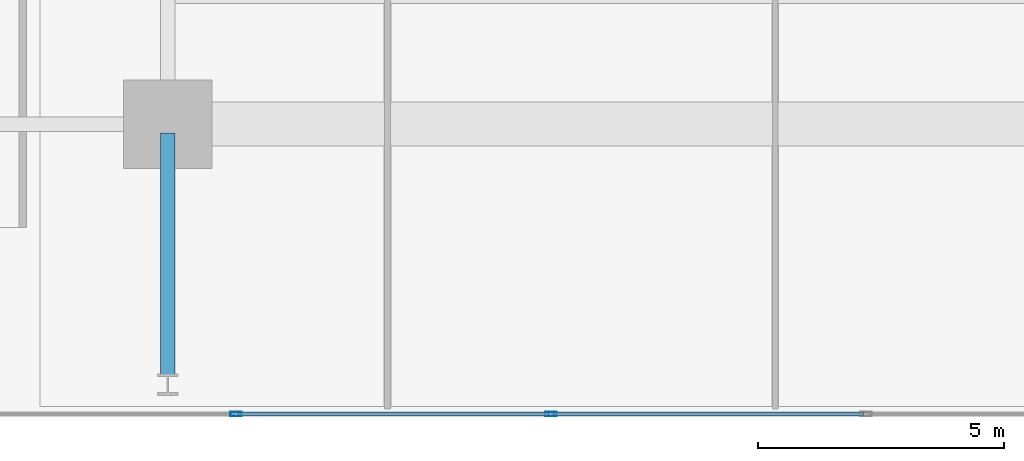
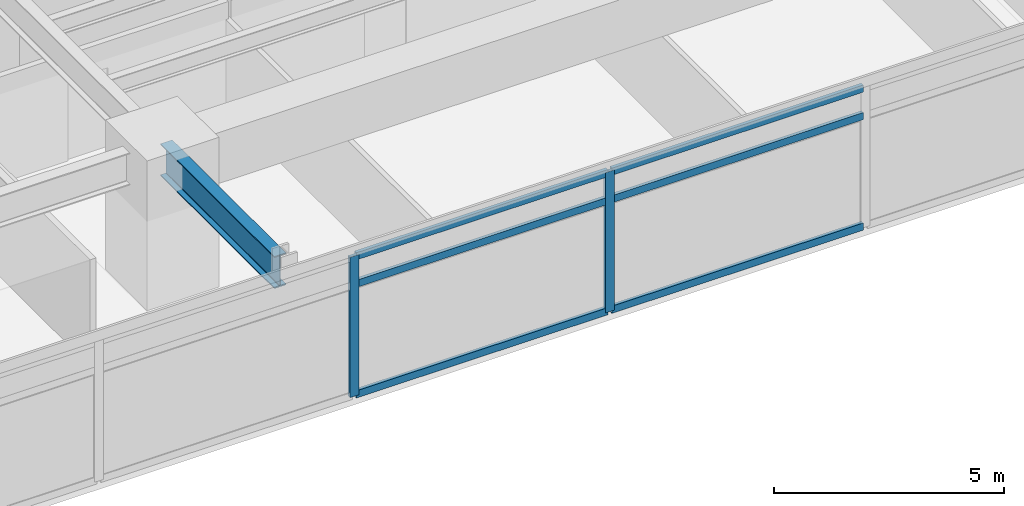
# One storey, part 4 of 22: 8 members, 1 beam, 1 element without a shape of its own.
"""IFC4 building model written with IfcOpenShell, lengths in metres."""

from ifc_helpers import new_model, si_unit, direction, frame, origin, origin_2d, place, context, subcontext, project, spatial, hollow_rectangle, i_section, extrude, material, material_profile, profile_set, type_object, element, aggregate, save


model = new_model("IFC4")

# Units and contexts
model_context = context("Model", 3, precision=1e-05, world=origin(), true_north=direction((0.0, 1.0)))
body_context = subcontext(model_context, "Body", "Model", "MODEL_VIEW")
ifc_project = project(units=[si_unit("LENGTHUNIT", "METRE"), si_unit("AREAUNIT", "SQUARE_METRE"), si_unit("VOLUMEUNIT", "CUBIC_METRE"), si_unit("PLANEANGLEUNIT", "RADIAN"), si_unit("MASSUNIT", "GRAM", prefix="KILO")], contexts=[model_context])

# Site, building, storey
site_placement = place(None, origin())
site = spatial("IfcSite", under=ifc_project, at=site_placement, CompositionType="ELEMENT")
building_placement = place(site_placement, origin())
building = spatial("IfcBuilding", under=site, at=building_placement, Name="Kovane Verandah Tower", CompositionType="ELEMENT")
storey_placement = place(building_placement, frame((0.0, 0.0, 79.60009765625)))
storey = spatial("IfcBuildingStorey", under=building, at=storey_placement, Name="L18", CompositionType="ELEMENT", Elevation=79.60009765625)

# Beam
ifc_material_1 = material(Name="Steel S355", Category="steel")
ifc_material_profile_1 = material_profile(ifc_material_1, i_section(OverallWidth=0.293701171875, OverallDepth=0.850830078125, WebThickness=0.01611328125, FlangeThickness=0.02685546875, FilletRadius=0.017822265625, at=origin_2d()), Name="UB838x292x226")
ifc_profile_set_1 = profile_set([ifc_material_profile_1], Name="Steel S355")
beam_type = type_object("IfcBeamType", Name="BM-UB838x226", PredefinedType="BEAM", material=ifc_profile_set_1)
beam_placement = place(storey_placement, frame((29.0, 10.6201171875, 3.33447265625), z_axis=(0.0, -1.0, 0.0), x_axis=(1.0, 0.0, 0.0)))
element("IfcBeam", 1, at=beam_placement, inside=storey, type_object=beam_type, Name="L18 Primary Tower Girder G-VS1", PredefinedType="BEAM", context=body_context, shape_type="SweptSolid", body=[
    extrude(i_section(OverallWidth=0.293701171875, OverallDepth=0.850830078125, WebThickness=0.01611328125, FlangeThickness=0.02685546875, FilletRadius=0.017822265625, at=origin_2d()), origin(), (0.0, 0.0, 1.0), 4.940185546875),
])

# Curtain wall, members
ifc_material_2 = material(Name="Champagne Anodised Aluminium Frame with Low-E Clear Laminated Glass", Category="aluminium")
curtain_wall_type = type_object("IfcCurtainWallType", Name="CW-SYS-02-LOW", PredefinedType="NOTDEFINED", material=ifc_material_2)
curtain_wall_placement = place(storey_placement, origin())
curtain_wall = element("IfcCurtainWall", 2, at=curtain_wall_placement, inside=storey, type_object=curtain_wall_type, Name="L18 S Unitised Curtain Wall", PredefinedType="NOTDEFINED")
ifc_material_3 = material(Name="Champagne Anodised Aluminium 6063-T6", Category="aluminium")
ifc_material_profile_2 = material_profile(ifc_material_3, hollow_rectangle(XDim=0.0849609375, YDim=0.22998046875, WallThickness=0.00390625, at=origin_2d()), Name="AL85x230x4")
ifc_profile_set_2 = profile_set([ifc_material_profile_2], Name="Champagne Anodised Aluminium 6063-T6")
member_type_1 = type_object("IfcMemberType", Name="CW-MUL-85x230", PredefinedType="MULLION", material=ifc_profile_set_2)
member_1_placement = place(storey_placement, frame((30.3876953125, 4.89990234375, 0.02001953125), z_axis=(0.0, 0.0, 1.0), x_axis=(0.0, -1.0, 0.0)))
member_1 = element("IfcMember", 3, at=member_1_placement, type_object=member_type_1, Name="L18 S Unitised Curtain Wall Mullion 3", PredefinedType="MULLION", context=body_context, shape_type="SweptSolid", body=[
    extrude(hollow_rectangle(XDim=0.0849609375, YDim=0.22998046875, WallThickness=0.00390625, at=origin_2d()), origin(), (0.0, 0.0, 1.0), 3.719970703125),
])
member_2_placement = place(storey_placement, frame((36.7958984375, 4.89990234375, 0.02001953125), z_axis=(0.0, 0.0, 1.0), x_axis=(0.0, -1.0, 0.0)))
member_2 = element("IfcMember", 4, at=member_2_placement, type_object=member_type_1, Name="L18 S Unitised Curtain Wall Mullion 4", PredefinedType="MULLION", context=body_context, shape_type="SweptSolid", body=[
    extrude(hollow_rectangle(XDim=0.0849609375, YDim=0.22998046875, WallThickness=0.00390625, at=origin_2d()), origin(), (0.0, 0.0, 1.0), 3.719970703125),
])
ifc_material_profile_3 = material_profile(ifc_material_3, hollow_rectangle(XDim=0.0849609375, YDim=0.18994140625, WallThickness=0.00390625, at=origin_2d()), Name="AL85x190x4")
ifc_profile_set_3 = profile_set([ifc_material_profile_3], Name="Champagne Anodised Aluminium 6063-T6")
member_type_2 = type_object("IfcMemberType", Name="CW-TRN-85x190", PredefinedType="USERDEFINED", material=ifc_profile_set_3)
member_3_placement = place(storey_placement, frame((30.437744140625, 4.89990234375, 0.0498046875), z_axis=(1.0, 0.0, 0.0), x_axis=(0.0, 1.0, 0.0)))
member_3 = element("IfcMember", 5, at=member_3_placement, type_object=member_type_2, Name="L18 S Unitised Curtain Wall Transom TB Bay 3", ObjectType="TRANSOM", PredefinedType="USERDEFINED", context=body_context, shape_type="SweptSolid", body=[
    extrude(hollow_rectangle(XDim=0.0849609375, YDim=0.18994140625, WallThickness=0.00390625, at=origin_2d()), origin(), (0.0, 0.0, 1.0), 6.30810546875),
])
member_4_placement = place(storey_placement, frame((30.437744140625, 4.89990234375, 2.97998046875), z_axis=(1.0, 0.0, 0.0), x_axis=(0.0, 1.0, 0.0)))
member_4 = element("IfcMember", 6, at=member_4_placement, type_object=member_type_2, Name="L18 S Unitised Curtain Wall Transom TM Bay 3", ObjectType="TRANSOM", PredefinedType="USERDEFINED", context=body_context, shape_type="SweptSolid", body=[
    extrude(hollow_rectangle(XDim=0.0849609375, YDim=0.18994140625, WallThickness=0.00390625, at=origin_2d()), origin(), (0.0, 0.0, 1.0), 6.30810546875),
])
member_5_placement = place(storey_placement, frame((30.437744140625, 4.89990234375, 3.7099609375), z_axis=(1.0, 0.0, 0.0), x_axis=(0.0, 1.0, 0.0)))
member_5 = element("IfcMember", 7, at=member_5_placement, type_object=member_type_2, Name="L18 S Unitised Curtain Wall Transom TT Bay 3", ObjectType="TRANSOM", PredefinedType="USERDEFINED", context=body_context, shape_type="SweptSolid", body=[
    extrude(hollow_rectangle(XDim=0.0849609375, YDim=0.18994140625, WallThickness=0.00390625, at=origin_2d()), origin(), (0.0, 0.0, 1.0), 6.30810546875),
])
member_6_placement = place(storey_placement, frame((36.845947265625, 4.89990234375, 0.0498046875), z_axis=(1.0, 0.0, 0.0), x_axis=(0.0, 1.0, 0.0)))
member_6 = element("IfcMember", 8, at=member_6_placement, type_object=member_type_2, Name="L18 S Unitised Curtain Wall Transom TB Bay 4", ObjectType="TRANSOM", PredefinedType="USERDEFINED", context=body_context, shape_type="SweptSolid", body=[
    extrude(hollow_rectangle(XDim=0.0849609375, YDim=0.18994140625, WallThickness=0.00390625, at=origin_2d()), origin(), (0.0, 0.0, 1.0), 6.30810546875),
])
member_7_placement = place(storey_placement, frame((36.845947265625, 4.89990234375, 2.97998046875), z_axis=(1.0, 0.0, 0.0), x_axis=(0.0, 1.0, 0.0)))
member_7 = element("IfcMember", 9, at=member_7_placement, type_object=member_type_2, Name="L18 S Unitised Curtain Wall Transom TM Bay 4", ObjectType="TRANSOM", PredefinedType="USERDEFINED", context=body_context, shape_type="SweptSolid", body=[
    extrude(hollow_rectangle(XDim=0.0849609375, YDim=0.18994140625, WallThickness=0.00390625, at=origin_2d()), origin(), (0.0, 0.0, 1.0), 6.30810546875),
])
member_8_placement = place(storey_placement, frame((36.845947265625, 4.89990234375, 3.7099609375), z_axis=(1.0, 0.0, 0.0), x_axis=(0.0, 1.0, 0.0)))
member_8 = element("IfcMember", 10, at=member_8_placement, type_object=member_type_2, Name="L18 S Unitised Curtain Wall Transom TT Bay 4", ObjectType="TRANSOM", PredefinedType="USERDEFINED", context=body_context, shape_type="SweptSolid", body=[
    extrude(hollow_rectangle(XDim=0.0849609375, YDim=0.18994140625, WallThickness=0.00390625, at=origin_2d()), origin(), (0.0, 0.0, 1.0), 6.30810546875),
])
aggregate(curtain_wall, [member_1, member_2, member_3, member_4, member_5, member_6, member_7, member_8])

save(model, "model.ifc")
